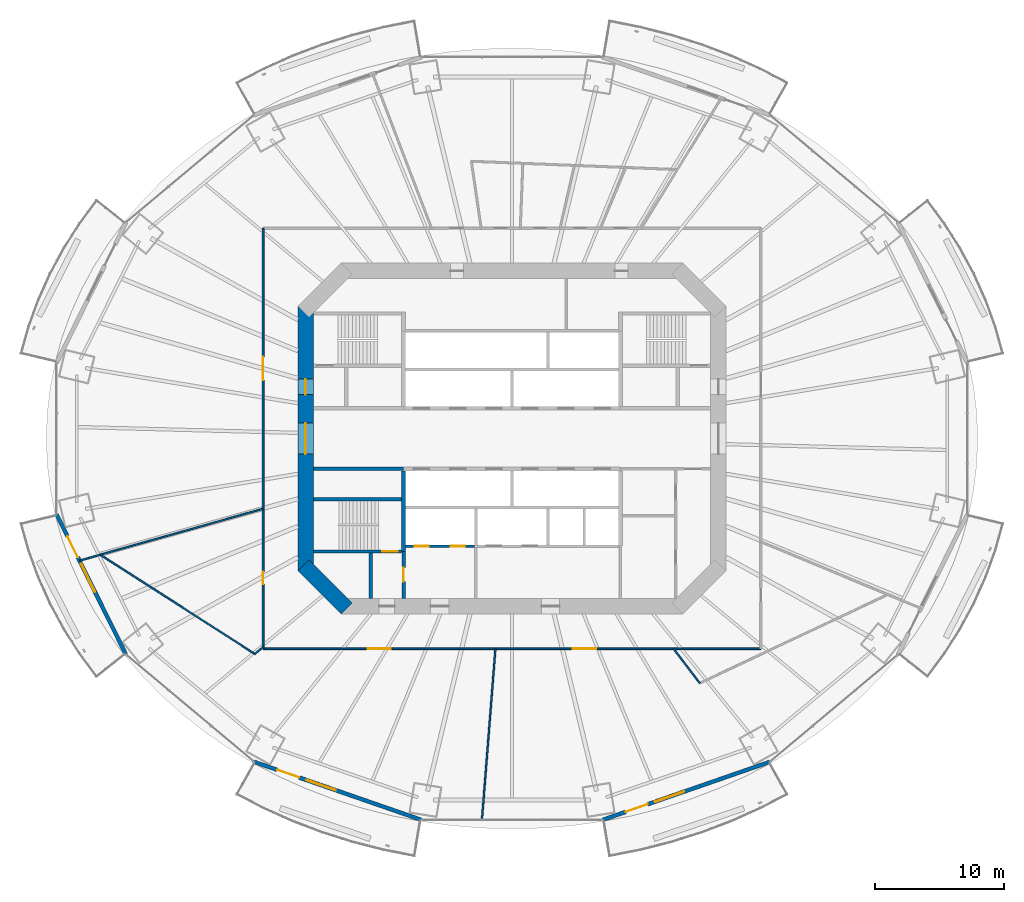
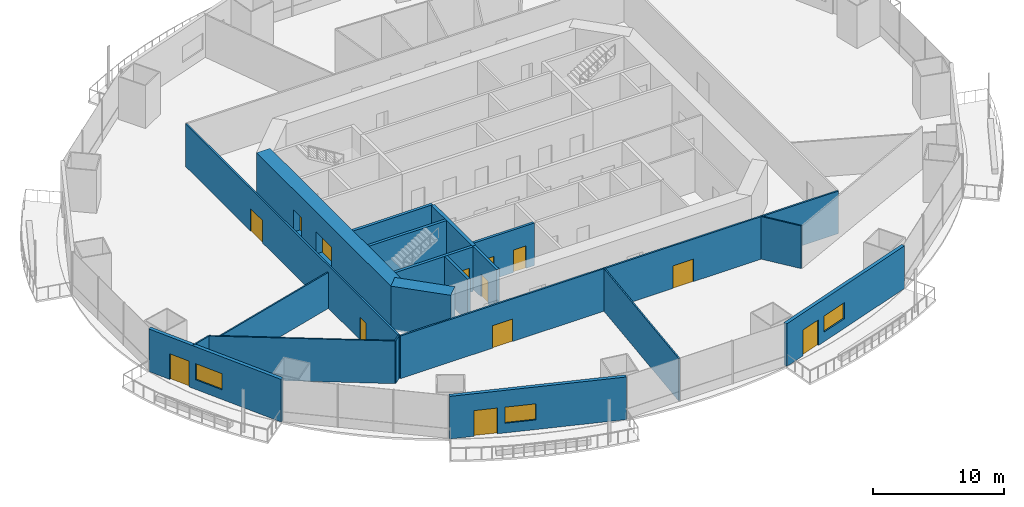
# One storey, part 14 of 23: 20 walls, 13 doors, 3 windows, 16 openings.
"""IFC4 building model written with IfcOpenShell, lengths in metres."""

from ifc_helpers import new_model, si_unit, direction, frame, frame_2d, origin, place, context, subcontext, project, spatial, rectangle, extrude, material, layer, layer_set, type_object, element, fill, save


model = new_model("IFC4")

# Units and contexts
model_context = context("Model", 3, precision=1e-05, world=origin(), true_north=direction((0.0, 1.0)))
body_context = subcontext(model_context, "Body", "Model", "MODEL_VIEW")
ifc_project = project(units=[si_unit("LENGTHUNIT", "METRE"), si_unit("AREAUNIT", "SQUARE_METRE"), si_unit("VOLUMEUNIT", "CUBIC_METRE"), si_unit("PLANEANGLEUNIT", "RADIAN"), si_unit("MASSUNIT", "GRAM", prefix="KILO")], contexts=[model_context])

# Site, building, storey
site_placement = place(None, origin())
site = spatial("IfcSite", under=ifc_project, at=site_placement, CompositionType="ELEMENT")
building_placement = place(site_placement, origin())
building = spatial("IfcBuilding", under=site, at=building_placement, Name="Marenthal Gate Tower", CompositionType="ELEMENT")
storey_placement = place(building_placement, frame((0.0, 0.0, 62.050048828125)))
storey = spatial("IfcBuildingStorey", under=building, at=storey_placement, Name="L11", CompositionType="ELEMENT", Elevation=62.050048828125)

# Wall, openings, doors
ifc_material_1 = material(Name="Concrete 60 MPa", Category="concrete")
ifc_layer_1 = layer(ifc_material_1, 1.199951171875)
ifc_layer_set_1 = layer_set([ifc_layer_1], Name="Core shear wall 1200")
wall_type_1 = type_object("IfcWallType", Name="Core shear wall 1200", PredefinedType="SHEAR", material=ifc_layer_set_1)
wall_1_placement = place(storey_placement, frame((-16.0, 10.24853515625, -0.179931640625), z_axis=(0.0, 0.0, 1.0), x_axis=(0.0, -1.0, 0.0)))
wall_1 = element("IfcWall", 1, at=wall_1_placement, inside=storey, type_object=wall_type_1, Name="Core wall 06", PredefinedType="SHEAR", context=body_context, shape_type="SweptSolid", body=[
    extrude(rectangle(XDim=20.4970703125, YDim=1.199951171875, at=frame_2d((10.24853515625, 0.0))), origin(), (0.0, 0.0, 1.0), 4.14990234375),
])
opening_1_placement = place(wall_1_placement, frame((9.048583984375, 0.0, 0.179931640625)))
opening_1 = element("IfcOpeningElement", 2, at=opening_1_placement, cuts=wall_1, Name="Opening D003.01", PredefinedType="OPENING", context=body_context, shape_type="SweptSolid", body=[
    extrude(rectangle(XDim=2.39990234375, YDim=2.10009765625, at=frame_2d((1.199951171875, 1.050048828125))), frame((0.0, 0.60986328125, 0.0), z_axis=(0.0, -1.0, 0.0), x_axis=(1.0, 0.0, 0.0)), (0.0, 0.0, 1.0), 1.219970703125),
])
opening_2_placement = place(wall_1_placement, frame((5.6484375, 0.0, 0.179931640625)))
opening_2 = element("IfcOpeningElement", 3, at=opening_2_placement, cuts=wall_1, Name="Opening D001.04", PredefinedType="OPENING", context=body_context, shape_type="SweptSolid", body=[
    extrude(rectangle(XDim=1.199951171875, YDim=2.10009765625, at=frame_2d((0.60009765625, 1.050048828125))), frame((0.0, 0.60986328125, 0.0), z_axis=(0.0, -1.0, 0.0), x_axis=(1.0, 0.0, 0.0)), (0.0, 0.0, 1.0), 1.219970703125),
])
ifc_material_2 = material(Name="Steel fire door", Category="steel")
door_type_1 = type_object("IfcDoorType", Name="Double fire door FD 45 2400 x 2100", OperationType="DOUBLE_DOOR_SINGLE_SWING", PredefinedType="DOOR", material=ifc_material_2)
door_1_placement = place(opening_1_placement, origin())
door_1 = element("IfcDoor", 4, at=door_1_placement, inside=storey, type_object=door_type_1, Name="Door D003.01", OperationType="DOUBLE_DOOR_SINGLE_SWING", OverallHeight=2.10009765625, OverallWidth=2.39990234375, PredefinedType="DOOR", context=body_context, shape_type="SweptSolid", body=[
    extrude(rectangle(XDim=2.39990234375, YDim=2.10009765625, at=frame_2d((1.199951171875, 1.050048828125))), frame((0.0, 0.02490234375, 0.0), z_axis=(0.0, -1.0, 0.0), x_axis=(1.0, 0.0, 0.0)), (0.0, 0.0, 1.0), 0.050048828125),
])
fill(opening_1, door_1)
ifc_material_3 = material(Name="Steel fire door", Category="steel")
door_type_2 = type_object("IfcDoorType", Name="Fire door FD 90 1200 x 2100", OperationType="NOTDEFINED", PredefinedType="DOOR", material=ifc_material_3)
door_2_placement = place(opening_2_placement, origin())
door_2 = element("IfcDoor", 5, at=door_2_placement, inside=storey, type_object=door_type_2, Name="Door D001.04", OperationType="SINGLE_SWING_RIGHT", OverallHeight=2.10009765625, OverallWidth=1.199951171875, PredefinedType="DOOR", context=body_context, shape_type="SweptSolid", body=[
    extrude(rectangle(XDim=1.199951171875, YDim=2.10009765625, at=frame_2d((0.60009765625, 1.050048828125))), frame((0.0, 0.02490234375, 0.0), z_axis=(0.0, -1.0, 0.0), x_axis=(1.0, 0.0, 0.0)), (0.0, 0.0, 1.0), 0.050048828125),
])
fill(opening_2, door_2)

# Walls
wall_2_placement = place(storey_placement, frame((-16.17578125, -9.82421875, -0.179931640625), z_axis=(0.0, 0.0, 1.0), x_axis=(0.707106781187, -0.707106781187, 0.0)))
element("IfcWall", 6, at=wall_2_placement, inside=storey, type_object=wall_type_1, Name="Core wall 07", PredefinedType="SHEAR", context=body_context, shape_type="SweptSolid", body=[
    extrude(rectangle(XDim=4.73974609375, YDim=1.199951171875, at=frame_2d((2.369873046875, 0.0))), origin(), (0.0, 0.0, 1.0), 4.14990234375),
])
ifc_material_4 = material(Name="Concrete 50 MPa", Category="concrete")
ifc_layer_2 = layer(ifc_material_4, 0.300048828125)
ifc_layer_set_2 = layer_set([ifc_layer_2], Name="Hoistway shear wall 300")
wall_type_2 = type_object("IfcWallType", Name="Hoistway shear wall 300", PredefinedType="SHEAR", material=ifc_layer_set_2)
wall_3_placement = place(storey_placement, frame((-8.39990234375, -8.75, -0.179931640625), z_axis=(0.0, 0.0, 1.0), x_axis=(0.0, 1.0, 0.0)))
element("IfcWall", 7, at=wall_3_placement, inside=storey, type_object=wall_type_2, Name="Hoistway wall 30", PredefinedType="SHEAR", context=body_context, shape_type="SweptSolid", body=[
    extrude(rectangle(XDim=6.25, YDim=0.300048828125, at=frame_2d((3.125, 0.0))), origin(), (0.0, 0.0, 1.0), 4.14990234375),
])

# Wall, openings, doors
ifc_material_5 = material(Name="Concrete 40 MPa", Category="concrete")
ifc_layer_3 = layer(ifc_material_5, 0.219970703125)
ifc_layer_set_3 = layer_set([ifc_layer_3], Name="Hoistway wall 220")
wall_type_3 = type_object("IfcWallType", Name="Hoistway wall 220", PredefinedType="STANDARD", material=ifc_layer_set_3)
wall_4_placement = place(storey_placement, frame((-8.25, -8.35009765625, 0.0), z_axis=(0.0, 0.0, 1.0), x_axis=(1.0, 0.0, 0.0)))
wall_4 = element("IfcWall", 8, at=wall_4_placement, inside=storey, type_object=wall_type_3, Name="Hoistway wall 10", PredefinedType="STANDARD", context=body_context, shape_type="SweptSolid", body=[
    extrude(rectangle(XDim=5.340087890625, YDim=0.219970703125, at=frame_2d((2.669921875, 0.0))), origin(), (0.0, 0.0, 1.0), 3.969970703125),
])
opening_3_placement = place(wall_4_placement, frame((0.699951171875, 0.0, 0.0)))
opening_3 = element("IfcOpeningElement", 9, at=opening_3_placement, cuts=wall_4, Name="Opening LD-LF1", PredefinedType="OPENING", context=body_context, shape_type="SweptSolid", body=[
    extrude(rectangle(XDim=1.10009765625, YDim=2.10009765625, at=frame_2d((0.550048828125, 1.050048828125))), frame((0.0, 0.1201171875, 0.0), z_axis=(0.0, -1.0, 0.0), x_axis=(1.0, 0.0, 0.0)), (0.0, 0.0, 1.0), 0.239990234375),
])
opening_4_placement = place(wall_4_placement, frame((3.5, 0.0, 0.0)))
opening_4 = element("IfcOpeningElement", 10, at=opening_4_placement, cuts=wall_4, Name="Opening LD-LF2", PredefinedType="OPENING", context=body_context, shape_type="SweptSolid", body=[
    extrude(rectangle(XDim=1.10009765625, YDim=2.10009765625, at=frame_2d((0.550048828125, 1.050048828125))), frame((0.0, 0.1201171875, 0.0), z_axis=(0.0, -1.0, 0.0), x_axis=(1.0, 0.0, 0.0)), (0.0, 0.0, 1.0), 0.239990234375),
])
ifc_material_6 = material(Name="Stainless steel sliding door", Category="steel")
door_type_3 = type_object("IfcDoorType", Name="Lift landing door FD 90 1100 x 2100", OperationType="DOUBLE_DOOR_SLIDING", PredefinedType="DOOR", material=ifc_material_6)
door_3_placement = place(opening_3_placement, origin())
door_3 = element("IfcDoor", 11, at=door_3_placement, inside=storey, type_object=door_type_3, Name="Lift landing door LF1", OperationType="DOUBLE_DOOR_SLIDING", OverallHeight=2.10009765625, OverallWidth=1.10009765625, PredefinedType="DOOR", context=body_context, shape_type="SweptSolid", body=[
    extrude(rectangle(XDim=1.10009765625, YDim=2.10009765625, at=frame_2d((0.550048828125, 1.050048828125))), frame((0.0, 0.02490234375, 0.0), z_axis=(0.0, -1.0, 0.0), x_axis=(1.0, 0.0, 0.0)), (0.0, 0.0, 1.0), 0.050048828125),
])
fill(opening_3, door_3)
door_4_placement = place(opening_4_placement, origin())
door_4 = element("IfcDoor", 12, at=door_4_placement, inside=storey, type_object=door_type_3, Name="Lift landing door LF2", OperationType="DOUBLE_DOOR_SLIDING", OverallHeight=2.10009765625, OverallWidth=1.10009765625, PredefinedType="DOOR", context=body_context, shape_type="SweptSolid", body=[
    extrude(rectangle(XDim=1.10009765625, YDim=2.10009765625, at=frame_2d((0.550048828125, 1.050048828125))), frame((0.0, 0.02490234375, 0.0), z_axis=(0.0, -1.0, 0.0), x_axis=(1.0, 0.0, 0.0)), (0.0, 0.0, 1.0), 0.050048828125),
])
fill(opening_4, door_4)

# Walls
ifc_material_7 = material(Name="Gypsum board on steel studs", Category="steel")
ifc_layer_4 = layer(ifc_material_7, 0.1201171875)
ifc_layer_set_4 = layer_set([ifc_layer_4], Name="Partition 120")
wall_type_4 = type_object("IfcWallType", Name="Partition 120", PredefinedType="PARTITIONING", material=ifc_layer_set_4)
wall_5_placement = place(storey_placement, frame((-31.919189453125, -9.012451171875, 0.0), z_axis=(0.0, 0.0, 1.0), x_axis=(0.841720695048, -0.539913207403, 0.0)))
element("IfcWall", 13, at=wall_5_placement, inside=storey, type_object=wall_type_4, Name="Partition wall 47", PredefinedType="PARTITIONING", context=body_context, shape_type="SweptSolid", body=[
    extrude(rectangle(XDim=14.238037109375, YDim=0.1201171875, at=frame_2d((7.119140625, 0.0))), origin(), (0.0, 0.0, 1.0), 3.969970703125),
])
wall_6_placement = place(storey_placement, frame((-19.934814453125, -16.69970703125, 0.0), z_axis=(0.0, 0.0, 1.0), x_axis=(0.766575396457, 0.642154312878, 0.0)))
element("IfcWall", 14, at=wall_6_placement, inside=storey, type_object=wall_type_4, Name="Partition wall 48", PredefinedType="PARTITIONING", context=body_context, shape_type="SweptSolid", body=[
    extrude(rectangle(XDim=0.828125, YDim=0.1201171875, at=frame_2d((0.4140625, 0.0))), origin(), (0.0, 0.0, 1.0), 3.969970703125),
])
wall_7_placement = place(storey_placement, frame((-19.300048828125, -5.449462890625, 0.0), z_axis=(0.0, 0.0, 1.0), x_axis=(-0.962377339702, -0.271716499368, 0.0)))
element("IfcWall", 15, at=wall_7_placement, inside=storey, type_object=wall_type_4, Name="Partition wall 50", PredefinedType="PARTITIONING", context=body_context, shape_type="SweptSolid", body=[
    extrude(rectangle(XDim=13.1201171875, YDim=0.1201171875, at=frame_2d((6.56005859375, 0.0))), origin(), (0.0, 0.0, 1.0), 3.35791015625),
])
wall_8_placement = place(storey_placement, frame((-31.926513671875, -9.014404296875, 0.0), z_axis=(0.0, 0.0, 1.0), x_axis=(-0.962365226317, -0.271759399424, 0.0)))
element("IfcWall", 16, at=wall_8_placement, inside=storey, type_object=wall_type_4, Name="Partition wall 65", PredefinedType="PARTITIONING", context=body_context, shape_type="SweptSolid", body=[
    extrude(rectangle(XDim=1.66650390625, YDim=0.1201171875, at=frame_2d((0.833251953125, 0.0))), origin(), (0.0, 0.0, 1.0), 3.969970703125),
])
wall_9_placement = place(storey_placement, frame((-1.284912109375, -16.300048828125, 0.0), z_axis=(0.0, 0.0, 1.0), x_axis=(-0.07857584752, -0.996908138289, 0.0)))
element("IfcWall", 17, at=wall_9_placement, inside=storey, type_object=wall_type_4, Name="Partition wall 54", PredefinedType="PARTITIONING", context=body_context, shape_type="SweptSolid", body=[
    extrude(rectangle(XDim=13.310791015625, YDim=0.1201171875, at=frame_2d((6.6552734375, 0.0))), origin(), (0.0, 0.0, 1.0), 3.969970703125),
])
wall_10_placement = place(storey_placement, frame((14.567626953125, -18.95947265625, 0.0), z_axis=(0.0, 0.0, 1.0), x_axis=(-0.609242747643, 0.792983779433, 0.0)))
element("IfcWall", 18, at=wall_10_placement, inside=storey, type_object=wall_type_4, Name="Partition wall 61", PredefinedType="PARTITIONING", context=body_context, shape_type="SweptSolid", body=[
    extrude(rectangle(XDim=3.353759765625, YDim=0.1201171875, at=frame_2d((1.6767578125, 0.0))), origin(), (0.0, 0.0, 1.0), 3.969970703125),
])

# Wall, openings, doors
ifc_material_8 = material(Name="Gypsum board on steel studs", Category="steel")
ifc_layer_5 = layer(ifc_material_8, 0.14990234375)
ifc_layer_set_5 = layer_set([ifc_layer_5], Name="Partition 150")
wall_type_5 = type_object("IfcWallType", Name="Partition 150", PredefinedType="PARTITIONING", material=ifc_layer_set_5)
wall_11_placement = place(storey_placement, frame((-19.300048828125, -16.300048828125, 0.0), z_axis=(0.0, 0.0, 1.0), x_axis=(0.0, 1.0, 0.0)))
wall_11 = element("IfcWall", 19, at=wall_11_placement, inside=storey, type_object=wall_type_5, Name="Partition wall 49", PredefinedType="PARTITIONING", context=body_context, shape_type="SweptSolid", body=[
    extrude(rectangle(XDim=32.60009765625, YDim=0.14990234375, at=frame_2d((16.300048828125, 0.0))), origin(), (0.0, 0.0, 1.0), 3.969970703125),
])
opening_5_placement = place(wall_11_placement, frame((20.825927734375, 0.0, 0.0)))
opening_5 = element("IfcOpeningElement", 20, at=opening_5_placement, cuts=wall_11, Name="Opening D014.01", PredefinedType="OPENING", context=body_context, shape_type="SweptSolid", body=[
    extrude(rectangle(XDim=1.800048828125, YDim=2.10009765625, at=frame_2d((0.89990234375, 1.050048828125))), frame((0.0, 0.0849609375, 0.0), z_axis=(0.0, -1.0, 0.0), x_axis=(1.0, 0.0, 0.0)), (0.0, 0.0, 1.0), 0.169921875),
])
opening_6_placement = place(wall_11_placement, frame((5.01708984375, 0.0, 0.0)))
opening_6 = element("IfcOpeningElement", 21, at=opening_6_placement, cuts=wall_11, Name="Opening D016.06", PredefinedType="OPENING", context=body_context, shape_type="SweptSolid", body=[
    extrude(rectangle(XDim=0.949951171875, YDim=2.10009765625, at=frame_2d((0.47509765625, 1.050048828125))), frame((0.0, 0.0849609375, 0.0), z_axis=(0.0, -1.0, 0.0), x_axis=(1.0, 0.0, 0.0)), (0.0, 0.0, 1.0), 0.169921875),
])
ifc_material_9 = material(Name="Timber door", Category="wood")
door_type_4 = type_object("IfcDoorType", Name="Door 950 x 2100", OperationType="NOTDEFINED", PredefinedType="DOOR", material=ifc_material_9)
door_5_placement = place(opening_6_placement, frame((0.949951171875, 0.0, 0.0), z_axis=(0.0, 0.0, 1.0), x_axis=(-1.0, 0.0, 0.0)))
door_5 = element("IfcDoor", 22, at=door_5_placement, inside=storey, type_object=door_type_4, Name="Door D016.06", OperationType="SINGLE_SWING_LEFT", OverallHeight=2.10009765625, OverallWidth=0.949951171875, PredefinedType="DOOR", context=body_context, shape_type="SweptSolid", body=[
    extrude(rectangle(XDim=0.949951171875, YDim=2.10009765625, at=frame_2d((0.47509765625, 1.050048828125))), frame((0.0, 0.02490234375, 0.0), z_axis=(0.0, -1.0, 0.0), x_axis=(1.0, 0.0, 0.0)), (0.0, 0.0, 1.0), 0.050048828125),
])
fill(opening_6, door_5)
ifc_material_10 = material(Name="Timber door", Category="wood")
door_type_5 = type_object("IfcDoorType", Name="Double door 1800 x 2100", OperationType="DOUBLE_DOOR_SINGLE_SWING", PredefinedType="DOOR", material=ifc_material_10)
door_6_placement = place(opening_5_placement, origin())
door_6 = element("IfcDoor", 23, at=door_6_placement, inside=storey, type_object=door_type_5, Name="Door D014.01", OperationType="DOUBLE_DOOR_SINGLE_SWING", OverallHeight=2.10009765625, OverallWidth=1.800048828125, PredefinedType="DOOR", context=body_context, shape_type="SweptSolid", body=[
    extrude(rectangle(XDim=1.800048828125, YDim=2.10009765625, at=frame_2d((0.89990234375, 1.050048828125))), frame((0.0, 0.02490234375, 0.0), z_axis=(0.0, -1.0, 0.0), x_axis=(1.0, 0.0, 0.0)), (0.0, 0.0, 1.0), 0.050048828125),
])
fill(opening_5, door_6)

wall_12_placement = place(storey_placement, frame((19.300048828125, -16.300048828125, 0.0), z_axis=(0.0, 0.0, 1.0), x_axis=(-1.0, 0.0, 0.0)))
wall_12 = element("IfcWall", 24, at=wall_12_placement, inside=storey, type_object=wall_type_5, Name="Partition wall 62", PredefinedType="PARTITIONING", context=body_context, shape_type="SweptSolid", body=[
    extrude(rectangle(XDim=38.60009765625, YDim=0.14990234375, at=frame_2d((19.300048828125, 0.0))), origin(), (0.0, 0.0, 1.0), 3.969970703125),
])
opening_7_placement = place(wall_12_placement, frame((28.693115234375, 0.0, 0.0)))
opening_7 = element("IfcOpeningElement", 25, at=opening_7_placement, cuts=wall_12, Name="Opening D014.02", PredefinedType="OPENING", context=body_context, shape_type="SweptSolid", body=[
    extrude(rectangle(XDim=1.800048828125, YDim=2.10009765625, at=frame_2d((0.89990234375, 1.050048828125))), frame((0.0, 0.0849609375, 0.0), z_axis=(0.0, -1.0, 0.0), x_axis=(1.0, 0.0, 0.0)), (0.0, 0.0, 1.0), 0.169921875),
])
opening_8_placement = place(wall_12_placement, frame((12.781005859375, 0.0, 0.0)))
opening_8 = element("IfcOpeningElement", 26, at=opening_8_placement, cuts=wall_12, Name="Opening D014.03", PredefinedType="OPENING", context=body_context, shape_type="SweptSolid", body=[
    extrude(rectangle(XDim=1.800048828125, YDim=2.10009765625, at=frame_2d((0.89990234375, 1.050048828125))), frame((0.0, 0.0849609375, 0.0), z_axis=(0.0, -1.0, 0.0), x_axis=(1.0, 0.0, 0.0)), (0.0, 0.0, 1.0), 0.169921875),
])
door_7_placement = place(opening_7_placement, origin())
door_7 = element("IfcDoor", 27, at=door_7_placement, inside=storey, type_object=door_type_5, Name="Door D014.02", OperationType="DOUBLE_DOOR_SINGLE_SWING", OverallHeight=2.10009765625, OverallWidth=1.800048828125, PredefinedType="DOOR", context=body_context, shape_type="SweptSolid", body=[
    extrude(rectangle(XDim=1.800048828125, YDim=2.10009765625, at=frame_2d((0.89990234375, 1.050048828125))), frame((0.0, 0.02490234375, 0.0), z_axis=(0.0, -1.0, 0.0), x_axis=(1.0, 0.0, 0.0)), (0.0, 0.0, 1.0), 0.050048828125),
])
fill(opening_7, door_7)
door_8_placement = place(opening_8_placement, origin())
door_8 = element("IfcDoor", 28, at=door_8_placement, inside=storey, type_object=door_type_5, Name="Door D014.03", OperationType="DOUBLE_DOOR_SINGLE_SWING", OverallHeight=2.10009765625, OverallWidth=1.800048828125, PredefinedType="DOOR", context=body_context, shape_type="SweptSolid", body=[
    extrude(rectangle(XDim=1.800048828125, YDim=2.10009765625, at=frame_2d((0.89990234375, 1.050048828125))), frame((0.0, 0.02490234375, 0.0), z_axis=(0.0, -1.0, 0.0), x_axis=(1.0, 0.0, 0.0)), (0.0, 0.0, 1.0), 0.050048828125),
])
fill(opening_8, door_8)

# Walls
ifc_material_11 = material(Name="Concrete 40 MPa", Category="concrete")
ifc_layer_6 = layer(ifc_material_11, 0.25)
ifc_layer_set_6 = layer_set([ifc_layer_6], Name="Stair enclosure wall 250")
wall_type_6 = type_object("IfcWallType", Name="Stair enclosure wall 250", PredefinedType="STANDARD", material=ifc_layer_set_6)
wall_13_placement = place(storey_placement, frame((-15.39990234375, -2.35009765625, 0.0), z_axis=(0.0, 0.0, 1.0), x_axis=(1.0, 0.0, 0.0)))
element("IfcWall", 29, at=wall_13_placement, inside=storey, type_object=wall_type_6, Name="Stair wall 15", PredefinedType="STANDARD", context=body_context, shape_type="SweptSolid", body=[
    extrude(rectangle(XDim=7.0, YDim=0.25, at=frame_2d((3.5, 0.0))), origin(), (0.0, 0.0, 1.0), 3.969970703125),
])
wall_14_placement = place(storey_placement, frame((-10.949951171875, -12.39990234375, 0.0), z_axis=(0.0, 0.0, 1.0), x_axis=(0.0, 1.0, 0.0)))
element("IfcWall", 30, at=wall_14_placement, inside=storey, type_object=wall_type_6, Name="Stair wall 28", PredefinedType="STANDARD", context=body_context, shape_type="SweptSolid", body=[
    extrude(rectangle(XDim=3.52490234375, YDim=0.25, at=frame_2d((1.762451171875, 0.0))), origin(), (0.0, 0.0, 1.0), 3.969970703125),
])

# Wall, opening, door
wall_15_placement = place(storey_placement, frame((-8.39990234375, -12.39990234375, 0.0), z_axis=(0.0, 0.0, 1.0), x_axis=(0.0, 1.0, 0.0)))
wall_15 = element("IfcWall", 31, at=wall_15_placement, inside=storey, type_object=wall_type_6, Name="Stair wall 29", PredefinedType="STANDARD", context=body_context, shape_type="SweptSolid", body=[
    extrude(rectangle(XDim=3.64990234375, YDim=0.25, at=frame_2d((1.824951171875, 0.0))), origin(), (0.0, 0.0, 1.0), 3.969970703125),
])
opening_9_placement = place(wall_15_placement, frame((1.300048828125, 0.0, 0.0)))
opening_9 = element("IfcOpeningElement", 32, at=opening_9_placement, cuts=wall_15, Name="Opening D002.01", PredefinedType="OPENING", context=body_context, shape_type="SweptSolid", body=[
    extrude(rectangle(XDim=1.10009765625, YDim=2.10009765625, at=frame_2d((0.550048828125, 1.050048828125))), frame((0.0, 0.135009765625, 0.0), z_axis=(0.0, -1.0, 0.0), x_axis=(1.0, 0.0, 0.0)), (0.0, 0.0, 1.0), 0.27001953125),
])
ifc_material_12 = material(Name="Steel fire door", Category="steel")
door_type_6 = type_object("IfcDoorType", Name="Fire door FD 90 1100 x 2100", OperationType="NOTDEFINED", PredefinedType="DOOR", material=ifc_material_12)
door_9_placement = place(opening_9_placement, origin())
door_9 = element("IfcDoor", 33, at=door_9_placement, inside=storey, type_object=door_type_6, Name="Door D002.01", OperationType="SINGLE_SWING_RIGHT", OverallHeight=2.10009765625, OverallWidth=1.10009765625, PredefinedType="DOOR", context=body_context, shape_type="SweptSolid", body=[
    extrude(rectangle(XDim=1.10009765625, YDim=2.10009765625, at=frame_2d((0.550048828125, 1.050048828125))), frame((0.0, 0.02490234375, 0.0), z_axis=(0.0, -1.0, 0.0), x_axis=(1.0, 0.0, 0.0)), (0.0, 0.0, 1.0), 0.050048828125),
])
fill(opening_9, door_9)

ifc_material_13 = material(Name="Concrete 50 MPa", Category="concrete")
ifc_layer_7 = layer(ifc_material_13, 0.25)
ifc_layer_set_7 = layer_set([ifc_layer_7], Name="Stair shear wall 250")
wall_type_7 = type_object("IfcWallType", Name="Stair shear wall 250", PredefinedType="SHEAR", material=ifc_layer_set_7)
wall_16_placement = place(storey_placement, frame((-15.39990234375, -8.75, -0.179931640625), z_axis=(0.0, 0.0, 1.0), x_axis=(1.0, 0.0, 0.0)))
wall_16 = element("IfcWall", 34, at=wall_16_placement, inside=storey, type_object=wall_type_7, Name="Stair wall 09", PredefinedType="SHEAR", context=body_context, shape_type="SweptSolid", body=[
    extrude(rectangle(XDim=6.849853515625, YDim=0.25, at=frame_2d((3.4248046875, 0.0))), origin(), (0.0, 0.0, 1.0), 4.14990234375),
])
opening_10_placement = place(wall_16_placement, frame((5.35009765625, 0.0, 0.179931640625)))
opening_10 = element("IfcOpeningElement", 35, at=opening_10_placement, cuts=wall_16, Name="Opening D001.03", PredefinedType="OPENING", context=body_context, shape_type="SweptSolid", body=[
    extrude(rectangle(XDim=1.199951171875, YDim=2.10009765625, at=frame_2d((0.60009765625, 1.050048828125))), frame((0.0, 0.135009765625, 0.0), z_axis=(0.0, -1.0, 0.0), x_axis=(1.0, 0.0, 0.0)), (0.0, 0.0, 1.0), 0.27001953125),
])
door_10_placement = place(opening_10_placement, origin())
door_10 = element("IfcDoor", 36, at=door_10_placement, inside=storey, type_object=door_type_2, Name="Door D001.03", OperationType="SINGLE_SWING_RIGHT", OverallHeight=2.10009765625, OverallWidth=1.199951171875, PredefinedType="DOOR", context=body_context, shape_type="SweptSolid", body=[
    extrude(rectangle(XDim=1.199951171875, YDim=2.10009765625, at=frame_2d((0.60009765625, 1.050048828125))), frame((0.0, 0.02490234375, 0.0), z_axis=(0.0, -1.0, 0.0), x_axis=(1.0, 0.0, 0.0)), (0.0, 0.0, 1.0), 0.050048828125),
])
fill(opening_10, door_10)

# Wall
wall_17_placement = place(storey_placement, frame((-15.39990234375, -4.699951171875, -0.179931640625), z_axis=(0.0, 0.0, 1.0), x_axis=(1.0, 0.0, 0.0)))
element("IfcWall", 37, at=wall_17_placement, inside=storey, type_object=wall_type_7, Name="Stair wall 14", PredefinedType="SHEAR", context=body_context, shape_type="SweptSolid", body=[
    extrude(rectangle(XDim=6.849853515625, YDim=0.25, at=frame_2d((3.4248046875, 0.0))), origin(), (0.0, 0.0, 1.0), 4.14990234375),
])

# Wall, openings, door, window
ifc_material_14 = material(Name="Terracotta cladding on insulated concrete-block backing", Category="masonry")
ifc_layer_8 = layer(ifc_material_14, 0.300048828125)
ifc_layer_set_8 = layer_set([ifc_layer_8], Name="Terracotta facade wall 300")
wall_type_8 = type_object("IfcWallType", Name="Terracotta facade wall 300", PredefinedType="SOLIDWALL", material=ifc_layer_set_8)
wall_18_placement = place(storey_placement, frame((-35.303466796875, -5.8818359375, 0.0), z_axis=(0.0, 0.0, 1.0), x_axis=(0.443294866901, -0.896375848057, 0.0)))
wall_18 = element("IfcWall", 38, at=wall_18_placement, inside=storey, type_object=wall_type_8, Name="Terracotta facade wall L11 bay 9", PredefinedType="SOLIDWALL", context=body_context, shape_type="SweptSolid", body=[
    extrude(rectangle(XDim=12.12451171875, YDim=0.300048828125, at=frame_2d((6.062255859375, 0.0))), origin(), (0.0, 0.0, 1.0), 3.969970703125),
])
opening_11_placement = place(wall_18_placement, frame((1.89990234375, 0.0, 0.0)))
opening_11 = element("IfcOpeningElement", 39, at=opening_11_placement, cuts=wall_18, Name="Opening BD-L11-09", PredefinedType="OPENING", context=body_context, shape_type="SweptSolid", body=[
    extrude(rectangle(XDim=1.800048828125, YDim=2.39990234375, at=frame_2d((0.89990234375, 1.199951171875))), frame((0.0, 0.16015625, 0.0), z_axis=(0.0, -1.0, 0.0), x_axis=(1.0, 0.0, 0.0)), (0.0, 0.0, 1.0), 0.320068359375),
])
opening_12_placement = place(wall_18_placement, frame((4.300048828125, 0.0, 0.89990234375)))
opening_12 = element("IfcOpeningElement", 40, at=opening_12_placement, cuts=wall_18, Name="Opening WN1-L11-09", PredefinedType="OPENING", context=body_context, shape_type="SweptSolid", body=[
    extrude(rectangle(XDim=2.39990234375, YDim=1.5, at=frame_2d((1.199951171875, 0.75))), frame((0.0, 0.16015625, 0.0), z_axis=(0.0, -1.0, 0.0), x_axis=(1.0, 0.0, 0.0)), (0.0, 0.0, 1.0), 0.320068359375),
])
ifc_material_15 = material(Name="Aluminium and glass", Category="aluminium")
door_type_7 = type_object("IfcDoorType", Name="Balcony door 1800x2400", OperationType="DOUBLE_DOOR_SINGLE_SWING", PredefinedType="DOOR", material=ifc_material_15)
door_11_placement = place(opening_11_placement, origin())
door_11 = element("IfcDoor", 41, at=door_11_placement, inside=storey, type_object=door_type_7, Name="Balcony door L11 bay 9", OperationType="SINGLE_SWING_LEFT", OverallHeight=2.39990234375, OverallWidth=1.800048828125, PredefinedType="DOOR", context=body_context, shape_type="SweptSolid", body=[
    extrude(rectangle(XDim=1.800048828125, YDim=2.39990234375, at=frame_2d((0.89990234375, 1.199951171875))), frame((0.0, 0.02490234375, 0.0), z_axis=(0.0, -1.0, 0.0), x_axis=(1.0, 0.0, 0.0)), (0.0, 0.0, 1.0), 0.050048828125),
])
fill(opening_11, door_11)
ifc_material_16 = material(Name="Aluminium and glass", Category="aluminium")
window_type = type_object("IfcWindowType", Name="Window 2400x1500", PartitioningType="TRIPLE_PANEL_VERTICAL", PredefinedType="WINDOW", material=ifc_material_16)
window_1_placement = place(opening_12_placement, origin())
window_1 = element("IfcWindow", 42, at=window_1_placement, inside=storey, type_object=window_type, Name="Window L11 bay 9", OverallHeight=1.5, OverallWidth=2.39990234375, PartitioningType="SINGLE_PANEL", PredefinedType="WINDOW", context=body_context, shape_type="SweptSolid", body=[
    extrude(rectangle(XDim=2.39990234375, YDim=1.5, at=frame_2d((1.199951171875, 0.75))), frame((0.0, 0.030029296875, 0.0), z_axis=(0.0, -1.0, 0.0), x_axis=(1.0, 0.0, 0.0)), (0.0, 0.0, 1.0), 0.06005859375),
])
fill(opening_12, window_1)

wall_19_placement = place(storey_placement, frame((-19.997802734375, -25.068115234375, 0.0), z_axis=(0.0, 0.0, 1.0), x_axis=(0.944762678088, -0.327755216727, 0.0)))
wall_19 = element("IfcWall", 43, at=wall_19_placement, inside=storey, type_object=wall_type_8, Name="Terracotta facade wall L11 bay 11", PredefinedType="SOLIDWALL", context=body_context, shape_type="SweptSolid", body=[
    extrude(rectangle(XDim=13.734130859375, YDim=0.300048828125, at=frame_2d((6.8671875, 0.0))), origin(), (0.0, 0.0, 1.0), 3.969970703125),
])
opening_13_placement = place(wall_19_placement, frame((1.89990234375, 0.0, 0.0)))
opening_13 = element("IfcOpeningElement", 44, at=opening_13_placement, cuts=wall_19, Name="Opening BD-L11-11", PredefinedType="OPENING", context=body_context, shape_type="SweptSolid", body=[
    extrude(rectangle(XDim=1.800048828125, YDim=2.39990234375, at=frame_2d((0.89990234375, 1.199951171875))), frame((0.0, 0.16015625, 0.0), z_axis=(0.0, -1.0, 0.0), x_axis=(1.0, 0.0, 0.0)), (0.0, 0.0, 1.0), 0.320068359375),
])
opening_14_placement = place(wall_19_placement, frame((4.300048828125, 0.0, 0.89990234375)))
opening_14 = element("IfcOpeningElement", 45, at=opening_14_placement, cuts=wall_19, Name="Opening WN1-L11-11", PredefinedType="OPENING", context=body_context, shape_type="SweptSolid", body=[
    extrude(rectangle(XDim=2.39990234375, YDim=1.5, at=frame_2d((1.199951171875, 0.75))), frame((0.0, 0.16015625, 0.0), z_axis=(0.0, -1.0, 0.0), x_axis=(1.0, 0.0, 0.0)), (0.0, 0.0, 1.0), 0.320068359375),
])
door_12_placement = place(opening_13_placement, origin())
door_12 = element("IfcDoor", 46, at=door_12_placement, inside=storey, type_object=door_type_7, Name="Balcony door L11 bay 11", OperationType="SINGLE_SWING_LEFT", OverallHeight=2.39990234375, OverallWidth=1.800048828125, PredefinedType="DOOR", context=body_context, shape_type="SweptSolid", body=[
    extrude(rectangle(XDim=1.800048828125, YDim=2.39990234375, at=frame_2d((0.89990234375, 1.199951171875))), frame((0.0, 0.02490234375, 0.0), z_axis=(0.0, -1.0, 0.0), x_axis=(1.0, 0.0, 0.0)), (0.0, 0.0, 1.0), 0.050048828125),
])
fill(opening_13, door_12)
window_2_placement = place(opening_14_placement, origin())
window_2 = element("IfcWindow", 47, at=window_2_placement, inside=storey, type_object=window_type, Name="Window L11 bay 11", OverallHeight=1.5, OverallWidth=2.39990234375, PartitioningType="SINGLE_PANEL", PredefinedType="WINDOW", context=body_context, shape_type="SweptSolid", body=[
    extrude(rectangle(XDim=2.39990234375, YDim=1.5, at=frame_2d((1.199951171875, 0.75))), frame((0.0, 0.030029296875, 0.0), z_axis=(0.0, -1.0, 0.0), x_axis=(1.0, 0.0, 0.0)), (0.0, 0.0, 1.0), 0.06005859375),
])
fill(opening_14, window_2)

wall_20_placement = place(storey_placement, frame((7.022216796875, -29.569580078125, 0.0), z_axis=(0.0, 0.0, 1.0), x_axis=(0.944762678088, 0.327755216727, 0.0)))
wall_20 = element("IfcWall", 48, at=wall_20_placement, inside=storey, type_object=wall_type_8, Name="Terracotta facade wall L11 bay 13", PredefinedType="SOLIDWALL", context=body_context, shape_type="SweptSolid", body=[
    extrude(rectangle(XDim=13.734130859375, YDim=0.300048828125, at=frame_2d((6.8671875, 0.0))), origin(), (0.0, 0.0, 1.0), 3.969970703125),
])
opening_15_placement = place(wall_20_placement, frame((1.89990234375, 0.0, 0.0)))
opening_15 = element("IfcOpeningElement", 49, at=opening_15_placement, cuts=wall_20, Name="Opening BD-L11-13", PredefinedType="OPENING", context=body_context, shape_type="SweptSolid", body=[
    extrude(rectangle(XDim=1.800048828125, YDim=2.39990234375, at=frame_2d((0.89990234375, 1.199951171875))), frame((0.0, 0.16015625, 0.0), z_axis=(0.0, -1.0, 0.0), x_axis=(1.0, 0.0, 0.0)), (0.0, 0.0, 1.0), 0.320068359375),
])
opening_16_placement = place(wall_20_placement, frame((4.300048828125, 0.0, 0.89990234375)))
opening_16 = element("IfcOpeningElement", 50, at=opening_16_placement, cuts=wall_20, Name="Opening WN1-L11-13", PredefinedType="OPENING", context=body_context, shape_type="SweptSolid", body=[
    extrude(rectangle(XDim=2.39990234375, YDim=1.5, at=frame_2d((1.199951171875, 0.75))), frame((0.0, 0.16015625, 0.0), z_axis=(0.0, -1.0, 0.0), x_axis=(1.0, 0.0, 0.0)), (0.0, 0.0, 1.0), 0.320068359375),
])
door_13_placement = place(opening_15_placement, origin())
door_13 = element("IfcDoor", 51, at=door_13_placement, inside=storey, type_object=door_type_7, Name="Balcony door L11 bay 13", OperationType="SINGLE_SWING_LEFT", OverallHeight=2.39990234375, OverallWidth=1.800048828125, PredefinedType="DOOR", context=body_context, shape_type="SweptSolid", body=[
    extrude(rectangle(XDim=1.800048828125, YDim=2.39990234375, at=frame_2d((0.89990234375, 1.199951171875))), frame((0.0, 0.02490234375, 0.0), z_axis=(0.0, -1.0, 0.0), x_axis=(1.0, 0.0, 0.0)), (0.0, 0.0, 1.0), 0.050048828125),
])
fill(opening_15, door_13)
window_3_placement = place(opening_16_placement, origin())
window_3 = element("IfcWindow", 52, at=window_3_placement, inside=storey, type_object=window_type, Name="Window L11 bay 13", OverallHeight=1.5, OverallWidth=2.39990234375, PartitioningType="SINGLE_PANEL", PredefinedType="WINDOW", context=body_context, shape_type="SweptSolid", body=[
    extrude(rectangle(XDim=2.39990234375, YDim=1.5, at=frame_2d((1.199951171875, 0.75))), frame((0.0, 0.030029296875, 0.0), z_axis=(0.0, -1.0, 0.0), x_axis=(1.0, 0.0, 0.0)), (0.0, 0.0, 1.0), 0.06005859375),
])
fill(opening_16, window_3)

save(model, "model.ifc")
